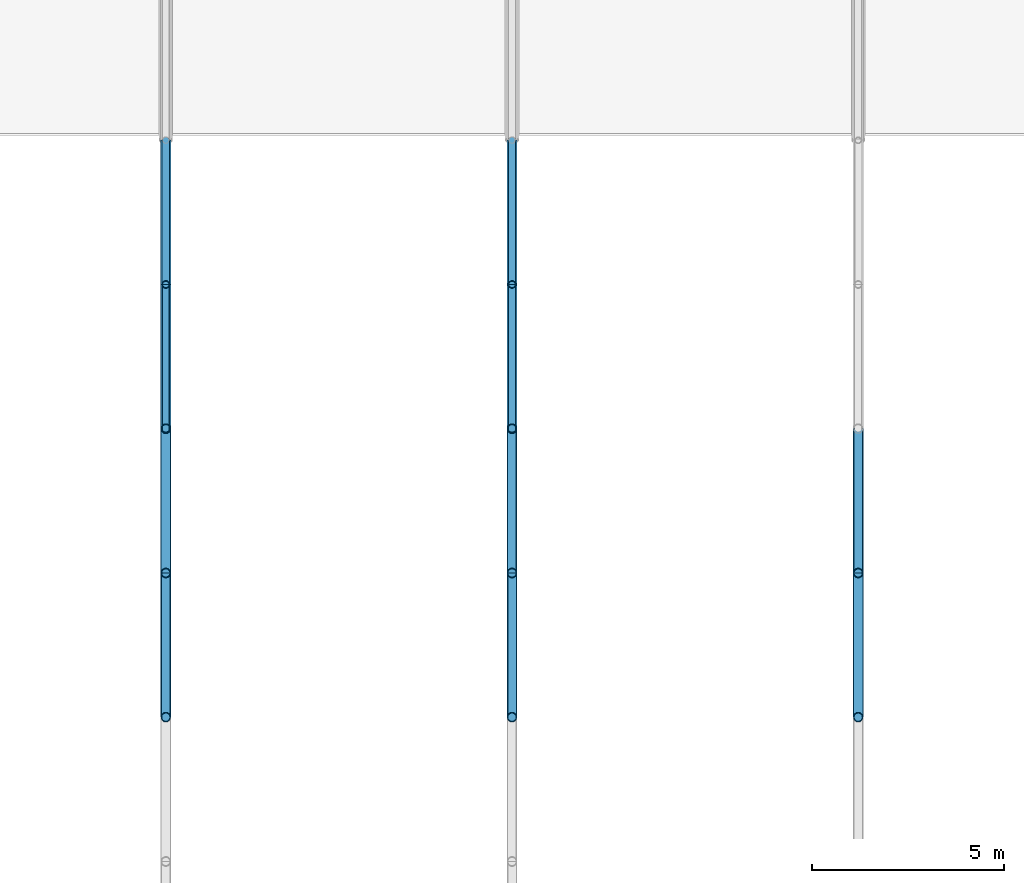
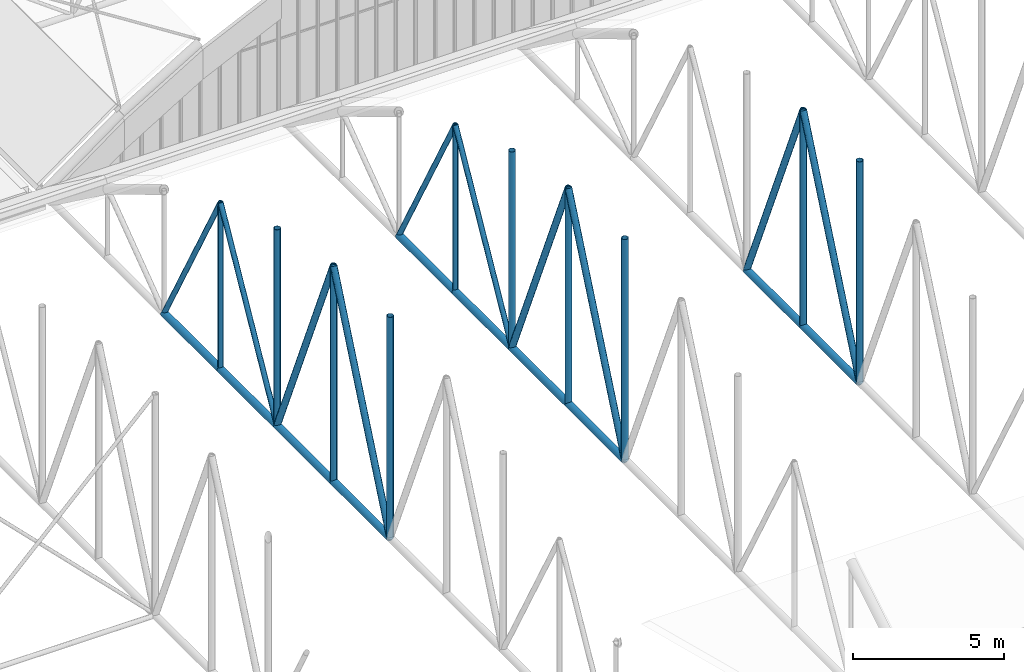
# One storey, part 50 of 153: 30 members.
"""IFC4 building model written with IfcOpenShell, lengths in metres."""

from ifc_helpers import new_model, si_unit, direction, frame, origin, origin_2d, place, context, subcontext, project, spatial, hollow_circle, extrude, material, material_profile, profile_set, type_object, element, save


model = new_model("IFC4")

# Units and contexts
model_context = context("Model", 3, precision=1e-05, world=origin(), true_north=direction((0.0, 1.0)))
body_context = subcontext(model_context, "Body", "Model", "MODEL_VIEW")
ifc_project = project(units=[si_unit("LENGTHUNIT", "METRE"), si_unit("AREAUNIT", "SQUARE_METRE"), si_unit("VOLUMEUNIT", "CUBIC_METRE"), si_unit("PLANEANGLEUNIT", "RADIAN"), si_unit("MASSUNIT", "GRAM", prefix="KILO")], contexts=[model_context])

# Site, building, storey
site_placement = place(None, origin())
site = spatial("IfcSite", under=ifc_project, at=site_placement, CompositionType="ELEMENT")
building_placement = place(site_placement, origin())
building = spatial("IfcBuilding", under=site, at=building_placement, Name="Baradari Gate Terminus", CompositionType="ELEMENT")
storey_placement = place(building_placement, frame((0.0, 0.0, 11.699951171875)))
storey = spatial("IfcBuildingStorey", under=building, at=storey_placement, Name="L02", CompositionType="ELEMENT", Elevation=11.699951171875)

# Members
ifc_material_1 = material(Name="Steel S355", Category="steel")
ifc_material_profile_1 = material_profile(ifc_material_1, hollow_circle(Radius=0.136474609375, WallThickness=0.012451171875, at=origin_2d()), Name="CHS 273x12.5")
ifc_profile_set_1 = profile_set([ifc_material_profile_1], Name="Steel S355")
member_type_1 = type_object("IfcMemberType", Name="Shed bottom chord CHS 273x12.5", PredefinedType="CHORD", material=ifc_profile_set_1)
for number, where, z_axis, x_axis, name in (
    (1, (135.0, 58.5, 0.136474609375), (0.0, 1.0, 0.0), (-1.0, 0.0, 0.0), "TR/L02/S135-BC06"),
    (2, (135.0, 62.25, 0.136474609375), (0.0, 1.0, 0.0), (-1.0, 0.0, 0.0), "TR/L02/S135-BC07"),
    (3, (135.0, 66.0, 0.136474609375), (0.0, 1.0, 0.0), (-1.0, 0.0, 0.0), "TR/L02/S135-BC08"),
    (4, (135.0, 69.75, 0.136474609375), (0.0, 1.0, 0.0), (-1.0, 0.0, 0.0), "TR/L02/S135-BC09"),
    (5, (144.0, 58.5, 0.136474609375), (0.0, 1.0, 0.0), (-1.0, 0.0, 0.0), "TR/L02/S144-BC06"),
    (6, (144.0, 62.25, 0.136474609375), (0.0, 1.0, 0.0), (-1.0, 0.0, 0.0), "TR/L02/S144-BC07"),
    (7, (144.0, 66.0, 0.136474609375), (0.0, 1.0, 0.0), (-1.0, 0.0, 0.0), "TR/L02/S144-BC08"),
    (8, (144.0, 69.75, 0.136474609375), (0.0, 1.0, 0.0), (-1.0, 0.0, 0.0), "TR/L02/S144-BC09"),
    (9, (153.0, 58.5, 0.136474609375), (0.0, 1.0, 0.0), (-1.0, 0.0, 0.0), "TR/L02/S153-BC06"),
    (10, (153.0, 62.25, 0.136474609375), (0.0, 1.0, 0.0), (-1.0, 0.0, 0.0), "TR/L02/S153-BC07"),
):
    element("IfcMember", number, at=place(storey_placement, frame(where, z_axis=z_axis, x_axis=x_axis)), inside=storey, type_object=member_type_1, Name=name, PredefinedType="CHORD", context=body_context, shape_type="SweptSolid", body=[
        extrude(hollow_circle(Radius=0.136474609375, WallThickness=0.012451171875, at=origin_2d()), origin(), (0.0, 0.0, 1.0), 3.75),
    ])
ifc_material_2 = material(Name="Steel S355", Category="steel")
ifc_material_profile_2 = material_profile(ifc_material_2, hollow_circle(Radius=0.096923828125, WallThickness=0.008056640625, at=origin_2d()), Name="CHS 193.7x8")
ifc_profile_set_2 = profile_set([ifc_material_profile_2], Name="Steel S355")
member_type_2 = type_object("IfcMemberType", Name="Shed truss diagonal CHS 193.7x8", PredefinedType="BRACE", material=ifc_profile_set_2)
for number, where, z_axis, x_axis, name in (
    (11, (135.0, 69.75, 6.886474609375), (0.0, -0.485642931179, -0.874157276122), (1.0, 0.0, 0.0), "TR/L02/S135-SD08"),
    (12, (135.0, 69.75, 6.886474609375), (0.0, 0.485642931179, -0.874157276122), (-1.0, 0.0, 0.0), "TR/L02/S135-SD09"),
    (13, (144.0, 69.75, 6.886474609375), (0.0, -0.485642931179, -0.874157276122), (1.0, 0.0, 0.0), "TR/L02/S144-SD08"),
    (14, (144.0, 69.75, 6.886474609375), (0.0, 0.485642931179, -0.874157276122), (-1.0, 0.0, 0.0), "TR/L02/S144-SD09"),
):
    element("IfcMember", number, at=place(storey_placement, frame(where, z_axis=z_axis, x_axis=x_axis)), inside=storey, type_object=member_type_2, Name=name, PredefinedType="BRACE", context=body_context, shape_type="SweptSolid", body=[
        extrude(hollow_circle(Radius=0.096923828125, WallThickness=0.008056640625, at=origin_2d()), origin(), (0.0, 0.0, 1.0), 7.7216796875),
    ])
ifc_material_3 = material(Name="Steel S355", Category="steel")
ifc_material_profile_3 = material_profile(ifc_material_3, hollow_circle(Radius=0.122314453125, WallThickness=0.010009765625, at=origin_2d()), Name="CHS 244.5x10")
ifc_profile_set_3 = profile_set([ifc_material_profile_3], Name="Steel S355")
member_type_3 = type_object("IfcMemberType", Name="Shed truss diagonal CHS 244.5x10", PredefinedType="BRACE", material=ifc_profile_set_3)
for number, where, z_axis, x_axis, name in (
    (15, (135.0, 62.25, 8.886474609375), (0.0, -0.393919298579, -0.919145030018), (1.0, 0.0, 0.0), "TR/L02/S135-SD06"),
    (16, (135.0, 62.25, 8.886474609375), (0.0, 0.393919298579, -0.919145030018), (-1.0, 0.0, 0.0), "TR/L02/S135-SD07"),
    (17, (144.0, 62.25, 8.886474609375), (0.0, -0.393919298579, -0.919145030018), (1.0, 0.0, 0.0), "TR/L02/S144-SD06"),
    (18, (144.0, 62.25, 8.886474609375), (0.0, 0.393919298579, -0.919145030018), (-1.0, 0.0, 0.0), "TR/L02/S144-SD07"),
    (19, (153.0, 62.25, 8.886474609375), (0.0, -0.393919298579, -0.919145030018), (1.0, 0.0, 0.0), "TR/L02/S153-SD06"),
    (20, (153.0, 62.25, 8.886474609375), (0.0, 0.393919298579, -0.919145030018), (-1.0, 0.0, 0.0), "TR/L02/S153-SD07"),
):
    element("IfcMember", number, at=place(storey_placement, frame(where, z_axis=z_axis, x_axis=x_axis)), inside=storey, type_object=member_type_3, Name=name, PredefinedType="BRACE", context=body_context, shape_type="SweptSolid", body=[
        extrude(hollow_circle(Radius=0.122314453125, WallThickness=0.010009765625, at=origin_2d()), origin(), (0.0, 0.0, 1.0), 9.519775390625),
    ])
ifc_material_4 = material(Name="Steel S355", Category="steel")
ifc_material_profile_4 = material_profile(ifc_material_4, hollow_circle(Radius=0.096923828125, WallThickness=0.008056640625, at=origin_2d()), Name="CHS 193.7x8")
ifc_profile_set_4 = profile_set([ifc_material_profile_4], Name="Steel S355")
member_type_4 = type_object("IfcMemberType", Name="Shed truss post CHS 193.7x8", PredefinedType="POST", material=ifc_profile_set_4)
for number, where, z_axis, x_axis, name in (
    (21, (135.0, 69.75, 0.136474609375), (0.0, 0.0, 1.0), (1.0, 0.0, 0.0), "TR/L02/S135-SP09"),
    (22, (144.0, 69.75, 0.136474609375), (0.0, 0.0, 1.0), (1.0, 0.0, 0.0), "TR/L02/S144-SP09"),
):
    element("IfcMember", number, at=place(storey_placement, frame(where, z_axis=z_axis, x_axis=x_axis)), inside=storey, type_object=member_type_4, Name=name, PredefinedType="POST", context=body_context, shape_type="SweptSolid", body=[
        extrude(hollow_circle(Radius=0.096923828125, WallThickness=0.008056640625, at=origin_2d()), origin(), (0.0, 0.0, 1.0), 6.75),
    ])
ifc_material_5 = material(Name="Steel S355", Category="steel")
ifc_material_profile_5 = material_profile(ifc_material_5, hollow_circle(Radius=0.122314453125, WallThickness=0.010009765625, at=origin_2d()), Name="CHS 244.5x10")
ifc_profile_set_5 = profile_set([ifc_material_profile_5], Name="Steel S355")
member_type_5 = type_object("IfcMemberType", Name="Shed truss post CHS 244.5x10", PredefinedType="POST", material=ifc_profile_set_5)
member_1_placement = place(storey_placement, frame((135.0, 58.5, 0.136474609375), z_axis=(0.0, 0.0, 1.0), x_axis=(1.0, 0.0, 0.0)))
element("IfcMember", 23, at=member_1_placement, inside=storey, type_object=member_type_5, Name="TR/L02/S135-SP06", PredefinedType="POST", context=body_context, shape_type="SweptSolid", body=[
    extrude(hollow_circle(Radius=0.122314453125, WallThickness=0.010009765625, at=origin_2d()), origin(), (0.0, 0.0, 1.0), 9.0),
])
member_2_placement = place(storey_placement, frame((135.0, 62.25, 0.136474609375), z_axis=(0.0, 0.0, 1.0), x_axis=(1.0, 0.0, 0.0)))
element("IfcMember", 24, at=member_2_placement, inside=storey, type_object=member_type_5, Name="TR/L02/S135-SP07", PredefinedType="POST", context=body_context, shape_type="SweptSolid", body=[
    extrude(hollow_circle(Radius=0.122314453125, WallThickness=0.010009765625, at=origin_2d()), origin(), (0.0, 0.0, 1.0), 8.75),
])
member_3_placement = place(storey_placement, frame((135.0, 66.0, 0.136474609375), z_axis=(0.0, 0.0, 1.0), x_axis=(1.0, 0.0, 0.0)))
element("IfcMember", 25, at=member_3_placement, inside=storey, type_object=member_type_5, Name="TR/L02/S135-SP08", PredefinedType="POST", context=body_context, shape_type="SweptSolid", body=[
    extrude(hollow_circle(Radius=0.122314453125, WallThickness=0.010009765625, at=origin_2d()), origin(), (0.0, 0.0, 1.0), 8.0),
])
member_4_placement = place(storey_placement, frame((144.0, 58.5, 0.136474609375), z_axis=(0.0, 0.0, 1.0), x_axis=(1.0, 0.0, 0.0)))
element("IfcMember", 26, at=member_4_placement, inside=storey, type_object=member_type_5, Name="TR/L02/S144-SP06", PredefinedType="POST", context=body_context, shape_type="SweptSolid", body=[
    extrude(hollow_circle(Radius=0.122314453125, WallThickness=0.010009765625, at=origin_2d()), origin(), (0.0, 0.0, 1.0), 9.0),
])
member_5_placement = place(storey_placement, frame((144.0, 62.25, 0.136474609375), z_axis=(0.0, 0.0, 1.0), x_axis=(1.0, 0.0, 0.0)))
element("IfcMember", 27, at=member_5_placement, inside=storey, type_object=member_type_5, Name="TR/L02/S144-SP07", PredefinedType="POST", context=body_context, shape_type="SweptSolid", body=[
    extrude(hollow_circle(Radius=0.122314453125, WallThickness=0.010009765625, at=origin_2d()), origin(), (0.0, 0.0, 1.0), 8.75),
])
member_6_placement = place(storey_placement, frame((144.0, 66.0, 0.136474609375), z_axis=(0.0, 0.0, 1.0), x_axis=(1.0, 0.0, 0.0)))
element("IfcMember", 28, at=member_6_placement, inside=storey, type_object=member_type_5, Name="TR/L02/S144-SP08", PredefinedType="POST", context=body_context, shape_type="SweptSolid", body=[
    extrude(hollow_circle(Radius=0.122314453125, WallThickness=0.010009765625, at=origin_2d()), origin(), (0.0, 0.0, 1.0), 8.0),
])
member_7_placement = place(storey_placement, frame((153.0, 58.5, 0.136474609375), z_axis=(0.0, 0.0, 1.0), x_axis=(1.0, 0.0, 0.0)))
element("IfcMember", 29, at=member_7_placement, inside=storey, type_object=member_type_5, Name="TR/L02/S153-SP06", PredefinedType="POST", context=body_context, shape_type="SweptSolid", body=[
    extrude(hollow_circle(Radius=0.122314453125, WallThickness=0.010009765625, at=origin_2d()), origin(), (0.0, 0.0, 1.0), 9.0),
])
member_8_placement = place(storey_placement, frame((153.0, 62.25, 0.136474609375), z_axis=(0.0, 0.0, 1.0), x_axis=(1.0, 0.0, 0.0)))
element("IfcMember", 30, at=member_8_placement, inside=storey, type_object=member_type_5, Name="TR/L02/S153-SP07", PredefinedType="POST", context=body_context, shape_type="SweptSolid", body=[
    extrude(hollow_circle(Radius=0.122314453125, WallThickness=0.010009765625, at=origin_2d()), origin(), (0.0, 0.0, 1.0), 8.75),
])

save(model, "model.ifc")
